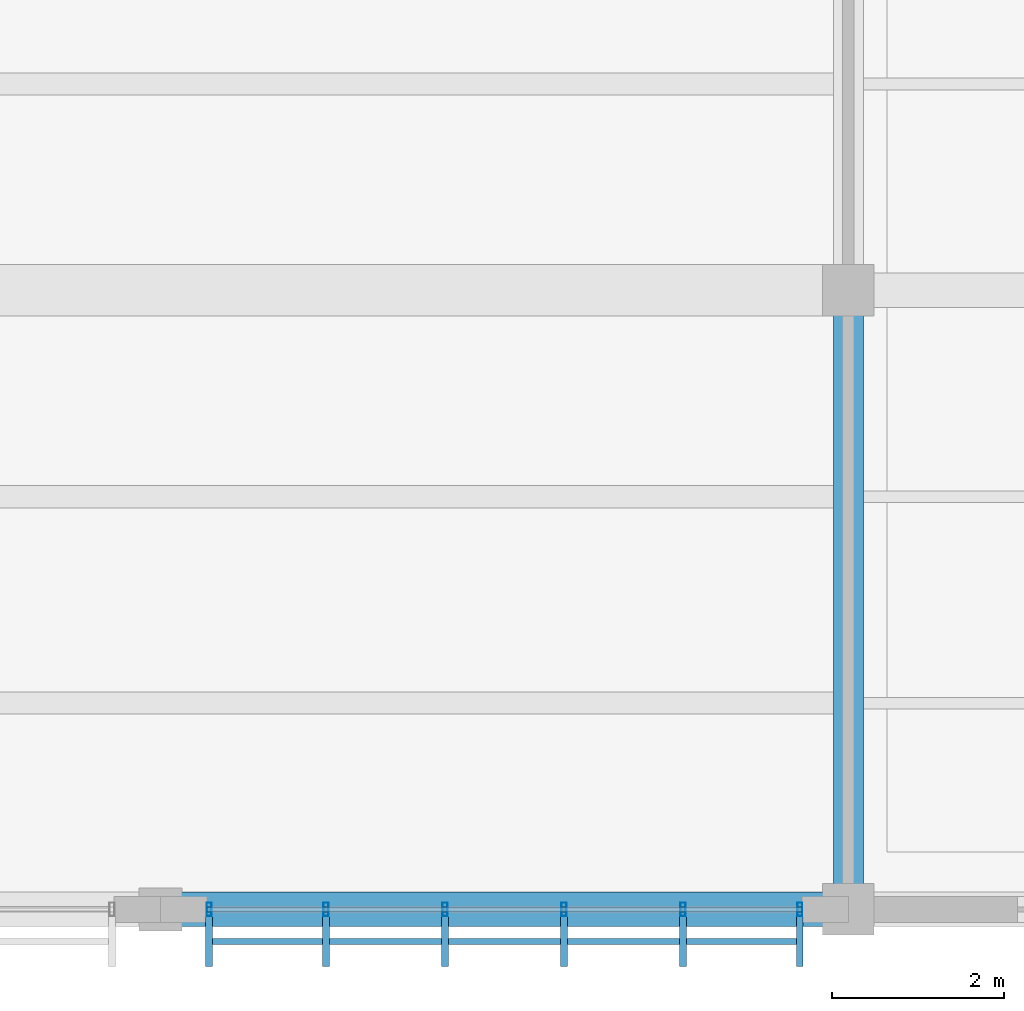
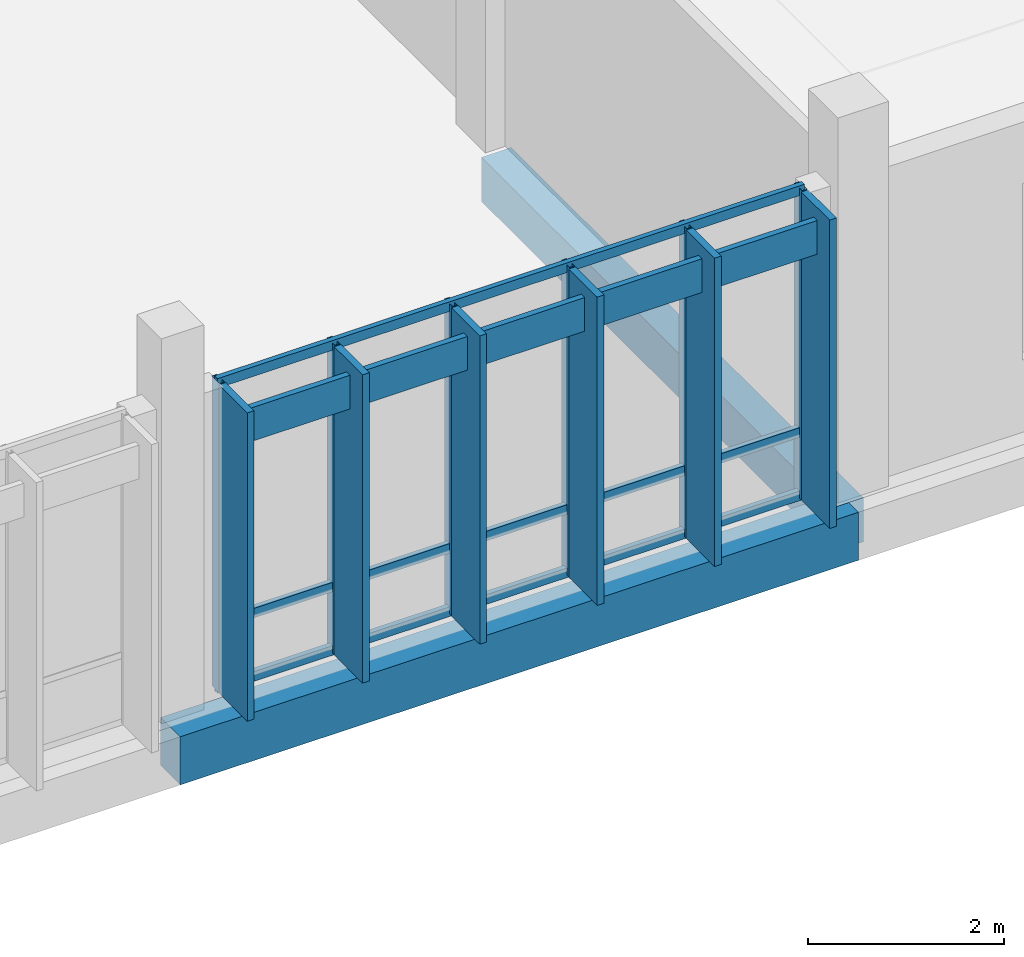
# One storey, part 16 of 177: 16 members, 2 beams, 1 element without a shape of its own.
"""IFC4 building model written with IfcOpenShell, lengths in metres."""

from ifc_helpers import new_model, si_unit, direction, frame, origin, origin_2d, place, context, subcontext, project, spatial, rectangle, hollow_rectangle, extrude, material, material_profile, profile_set, type_object, element, aggregate, save


model = new_model("IFC4")

# Units and contexts
model_context = context("Model", 3, precision=1e-05, world=origin(), true_north=direction((0.0, 1.0)))
body_context = subcontext(model_context, "Body", "Model", "MODEL_VIEW")
ifc_project = project(units=[si_unit("LENGTHUNIT", "METRE"), si_unit("AREAUNIT", "SQUARE_METRE"), si_unit("VOLUMEUNIT", "CUBIC_METRE"), si_unit("PLANEANGLEUNIT", "RADIAN"), si_unit("MASSUNIT", "GRAM", prefix="KILO")], contexts=[model_context])

# Site, building, storey
site_placement = place(None, origin())
site = spatial("IfcSite", under=ifc_project, at=site_placement, CompositionType="ELEMENT")
building_placement = place(site_placement, origin())
building = spatial("IfcBuilding", under=site, at=building_placement, Name="Chiffa Square Polytechnic", CompositionType="ELEMENT")
storey_placement = place(building_placement, frame((0.0, 0.0, 4.800048828125)))
storey = spatial("IfcBuildingStorey", under=building, at=storey_placement, Name="L01", CompositionType="ELEMENT", Elevation=4.800048828125)

# Beams
ifc_material_1 = material(Name="Concrete C35/45", Category="concrete")
ifc_material_profile_1 = material_profile(ifc_material_1, rectangle(XDim=0.35009765625, YDim=0.550048828125, at=origin_2d()), Name="RC 350x550")
ifc_profile_set_1 = profile_set([ifc_material_profile_1], Name="Concrete C35/45")
beam_type_1 = type_object("IfcBeamType", Name="BM-RC-350X550", PredefinedType="BEAM", material=ifc_profile_set_1)
beam_1_placement = place(storey_placement, frame((24.0, 0.0, -0.554931640625), z_axis=(0.0, 1.0, 0.0), x_axis=(-1.0, 0.0, 0.0)))
element("IfcBeam", 1, at=beam_1_placement, inside=storey, type_object=beam_type_1, Name="Primary floor girder BM-V3-L01-Y-0240-0000", PredefinedType="BEAM", context=body_context, shape_type="SweptSolid", body=[
    extrude(rectangle(XDim=0.35009765625, YDim=0.550048828125, at=origin_2d()), origin(), (0.0, 0.0, 1.0), 7.199951171875),
])
ifc_material_profile_2 = material_profile(ifc_material_1, rectangle(XDim=0.39990234375, YDim=0.60009765625, at=origin_2d()), Name="RC 400x600")
ifc_profile_set_2 = profile_set([ifc_material_profile_2], Name="Concrete C35/45")
beam_type_2 = type_object("IfcBeamType", Name="BM-RC-400X600", PredefinedType="BEAM", material=ifc_profile_set_2)
beam_2_placement = place(storey_placement, frame((16.0, 0.0, -0.580078125), z_axis=(1.0, 0.0, 0.0), x_axis=(0.0, 1.0, 0.0)))
element("IfcBeam", 2, at=beam_2_placement, inside=storey, type_object=beam_type_2, Name="Primary floor girder BM-V3-L01-X-0160-0000", PredefinedType="BEAM", context=body_context, shape_type="SweptSolid", body=[
    extrude(rectangle(XDim=0.39990234375, YDim=0.60009765625, at=origin_2d()), origin(), (0.0, 0.0, 1.0), 8.0),
])

# Curtain wall, members
ifc_material_2 = material(Name="Aluminium EN AW-6060 T66 and glulam shading", Category="wood")
curtain_wall_type = type_object("IfcCurtainWallType", Name="CW-VERT-300X380", PredefinedType="USERDEFINED", material=ifc_material_2)
curtain_wall_placement = place(storey_placement, origin())
curtain_wall = element("IfcCurtainWall", 3, at=curtain_wall_placement, inside=storey, type_object=curtain_wall_type, Name="Curtain wall CW-V3-L01-155", ObjectType="CURTAIN WALL", PredefinedType="USERDEFINED")
ifc_material_3 = material(Name="Aluminium EN AW-6060 T66", Category="aluminium")
ifc_material_profile_3 = material_profile(ifc_material_3, hollow_rectangle(XDim=0.06005859375, YDim=0.159912109375, WallThickness=0.00390625, at=origin_2d()), Name="ALU 60x160x4")
ifc_profile_set_3 = profile_set([ifc_material_profile_3], Name="Aluminium EN AW-6060 T66")
member_type_1 = type_object("IfcMemberType", Name="CWM-ALU-65X150", PredefinedType="MULLION", material=ifc_profile_set_3)
member_1_placement = place(storey_placement, frame((16.56494140625, 0.0, 0.0), z_axis=(0.0, 0.0, 1.0), x_axis=(1.0, 0.0, 0.0)))
member_1 = element("IfcMember", 4, at=member_1_placement, type_object=member_type_1, Name="Curtain wall mullion CW-V3-L01-155-M00", PredefinedType="MULLION", context=body_context, shape_type="SweptSolid", body=[
    extrude(hollow_rectangle(XDim=0.06005859375, YDim=0.159912109375, WallThickness=0.00390625, at=origin_2d()), origin(), (0.0, 0.0, 1.0), 3.864990234375),
])
member_2_placement = place(storey_placement, frame((17.924072265625, 0.0, 0.0), z_axis=(0.0, 0.0, 1.0), x_axis=(1.0, 0.0, 0.0)))
member_2 = element("IfcMember", 5, at=member_2_placement, type_object=member_type_1, Name="Curtain wall mullion CW-V3-L01-155-M01", PredefinedType="MULLION", context=body_context, shape_type="SweptSolid", body=[
    extrude(hollow_rectangle(XDim=0.06005859375, YDim=0.159912109375, WallThickness=0.00390625, at=origin_2d()), origin(), (0.0, 0.0, 1.0), 3.864990234375),
])
member_3_placement = place(storey_placement, frame((19.30810546875, 0.0, 0.0), z_axis=(0.0, 0.0, 1.0), x_axis=(1.0, 0.0, 0.0)))
member_3 = element("IfcMember", 6, at=member_3_placement, type_object=member_type_1, Name="Curtain wall mullion CW-V3-L01-155-M02", PredefinedType="MULLION", context=body_context, shape_type="SweptSolid", body=[
    extrude(hollow_rectangle(XDim=0.06005859375, YDim=0.159912109375, WallThickness=0.00390625, at=origin_2d()), origin(), (0.0, 0.0, 1.0), 3.864990234375),
])
member_4_placement = place(storey_placement, frame((20.69189453125, 0.0, 0.0), z_axis=(0.0, 0.0, 1.0), x_axis=(1.0, 0.0, 0.0)))
member_4 = element("IfcMember", 7, at=member_4_placement, type_object=member_type_1, Name="Curtain wall mullion CW-V3-L01-155-M03", PredefinedType="MULLION", context=body_context, shape_type="SweptSolid", body=[
    extrude(hollow_rectangle(XDim=0.06005859375, YDim=0.159912109375, WallThickness=0.00390625, at=origin_2d()), origin(), (0.0, 0.0, 1.0), 3.864990234375),
])
member_5_placement = place(storey_placement, frame((22.075927734375, 0.0, 0.0), z_axis=(0.0, 0.0, 1.0), x_axis=(1.0, 0.0, 0.0)))
member_5 = element("IfcMember", 8, at=member_5_placement, type_object=member_type_1, Name="Curtain wall mullion CW-V3-L01-155-M04", PredefinedType="MULLION", context=body_context, shape_type="SweptSolid", body=[
    extrude(hollow_rectangle(XDim=0.06005859375, YDim=0.159912109375, WallThickness=0.00390625, at=origin_2d()), origin(), (0.0, 0.0, 1.0), 3.864990234375),
])
member_6_placement = place(storey_placement, frame((23.43505859375, 0.0, 0.0), z_axis=(0.0, 0.0, 1.0), x_axis=(1.0, 0.0, 0.0)))
member_6 = element("IfcMember", 9, at=member_6_placement, type_object=member_type_1, Name="Curtain wall mullion CW-V3-L01-155-M05", PredefinedType="MULLION", context=body_context, shape_type="SweptSolid", body=[
    extrude(hollow_rectangle(XDim=0.06005859375, YDim=0.159912109375, WallThickness=0.00390625, at=origin_2d()), origin(), (0.0, 0.0, 1.0), 3.864990234375),
])
ifc_material_4 = material(Name="Glulam GL28h", Category="wood")
ifc_material_profile_4 = material_profile(ifc_material_4, rectangle(XDim=0.080078125, YDim=0.580078125, at=origin_2d()), Name="GL28h 80x580")
ifc_profile_set_4 = profile_set([ifc_material_profile_4], Name="Glulam GL28h")
member_type_2 = type_object("IfcMemberType", Name="CWM-GL-80X580", PredefinedType="MULLION", material=ifc_profile_set_4)
member_7_placement = place(storey_placement, frame((16.56494140625, -0.3720703125, 0.010009765625), z_axis=(0.0, 0.0, 1.0), x_axis=(1.0, 0.0, 0.0)))
member_7 = element("IfcMember", 10, at=member_7_placement, type_object=member_type_2, Name="Exterior glulam solar fin CW-V3-L01-155-FN00", PredefinedType="MULLION", context=body_context, shape_type="SweptSolid", body=[
    extrude(rectangle(XDim=0.080078125, YDim=0.580078125, at=origin_2d()), origin(), (0.0, 0.0, 1.0), 3.844970703125),
])
member_8_placement = place(storey_placement, frame((17.924072265625, -0.3720703125, 0.010009765625), z_axis=(0.0, 0.0, 1.0), x_axis=(1.0, 0.0, 0.0)))
member_8 = element("IfcMember", 11, at=member_8_placement, type_object=member_type_2, Name="Exterior glulam solar fin CW-V3-L01-155-FN01", PredefinedType="MULLION", context=body_context, shape_type="SweptSolid", body=[
    extrude(rectangle(XDim=0.080078125, YDim=0.580078125, at=origin_2d()), origin(), (0.0, 0.0, 1.0), 3.844970703125),
])
member_9_placement = place(storey_placement, frame((19.30810546875, -0.3720703125, 0.010009765625), z_axis=(0.0, 0.0, 1.0), x_axis=(1.0, 0.0, 0.0)))
member_9 = element("IfcMember", 12, at=member_9_placement, type_object=member_type_2, Name="Exterior glulam solar fin CW-V3-L01-155-FN02", PredefinedType="MULLION", context=body_context, shape_type="SweptSolid", body=[
    extrude(rectangle(XDim=0.080078125, YDim=0.580078125, at=origin_2d()), origin(), (0.0, 0.0, 1.0), 3.844970703125),
])
member_10_placement = place(storey_placement, frame((20.69189453125, -0.3720703125, 0.010009765625), z_axis=(0.0, 0.0, 1.0), x_axis=(1.0, 0.0, 0.0)))
member_10 = element("IfcMember", 13, at=member_10_placement, type_object=member_type_2, Name="Exterior glulam solar fin CW-V3-L01-155-FN03", PredefinedType="MULLION", context=body_context, shape_type="SweptSolid", body=[
    extrude(rectangle(XDim=0.080078125, YDim=0.580078125, at=origin_2d()), origin(), (0.0, 0.0, 1.0), 3.844970703125),
])
member_11_placement = place(storey_placement, frame((22.075927734375, -0.3720703125, 0.010009765625), z_axis=(0.0, 0.0, 1.0), x_axis=(1.0, 0.0, 0.0)))
member_11 = element("IfcMember", 14, at=member_11_placement, type_object=member_type_2, Name="Exterior glulam solar fin CW-V3-L01-155-FN04", PredefinedType="MULLION", context=body_context, shape_type="SweptSolid", body=[
    extrude(rectangle(XDim=0.080078125, YDim=0.580078125, at=origin_2d()), origin(), (0.0, 0.0, 1.0), 3.844970703125),
])
member_12_placement = place(storey_placement, frame((23.43505859375, -0.3720703125, 0.010009765625), z_axis=(0.0, 0.0, 1.0), x_axis=(1.0, 0.0, 0.0)))
member_12 = element("IfcMember", 15, at=member_12_placement, type_object=member_type_2, Name="Exterior glulam solar fin CW-V3-L01-155-FN05", PredefinedType="MULLION", context=body_context, shape_type="SweptSolid", body=[
    extrude(rectangle(XDim=0.080078125, YDim=0.580078125, at=origin_2d()), origin(), (0.0, 0.0, 1.0), 3.844970703125),
])
ifc_material_profile_5 = material_profile(ifc_material_3, hollow_rectangle(XDim=0.06005859375, YDim=0.1201171875, WallThickness=0.00390625, at=origin_2d()), Name="ALU 60x120x4")
ifc_profile_set_5 = profile_set([ifc_material_profile_5], Name="Aluminium EN AW-6060 T66")
member_type_3 = type_object("IfcMemberType", Name="CWT-ALU-65X120", PredefinedType="USERDEFINED", material=ifc_profile_set_5)
member_13_placement = place(storey_placement, frame((16.5380859375, 0.0, 0.030029296875), z_axis=(1.0, 0.0, 0.0), x_axis=(0.0, 1.0, 0.0)))
member_13 = element("IfcMember", 16, at=member_13_placement, type_object=member_type_3, Name="Curtain wall transom CW-V3-L01-155-T01", ObjectType="TRANSOM", PredefinedType="USERDEFINED", context=body_context, shape_type="SweptSolid", body=[
    extrude(hollow_rectangle(XDim=0.06005859375, YDim=0.1201171875, WallThickness=0.00390625, at=origin_2d()), origin(), (0.0, 0.0, 1.0), 6.923828125),
])
member_14_placement = place(storey_placement, frame((16.5380859375, 0.0, 0.820068359375), z_axis=(1.0, 0.0, 0.0), x_axis=(0.0, 1.0, 0.0)))
member_14 = element("IfcMember", 17, at=member_14_placement, type_object=member_type_3, Name="Curtain wall transom CW-V3-L01-155-T02", ObjectType="TRANSOM", PredefinedType="USERDEFINED", context=body_context, shape_type="SweptSolid", body=[
    extrude(hollow_rectangle(XDim=0.06005859375, YDim=0.1201171875, WallThickness=0.00390625, at=origin_2d()), origin(), (0.0, 0.0, 1.0), 6.923828125),
])
member_15_placement = place(storey_placement, frame((16.5380859375, 0.0, 3.8349609375), z_axis=(1.0, 0.0, 0.0), x_axis=(0.0, 1.0, 0.0)))
member_15 = element("IfcMember", 18, at=member_15_placement, type_object=member_type_3, Name="Curtain wall transom CW-V3-L01-155-T03", ObjectType="TRANSOM", PredefinedType="USERDEFINED", context=body_context, shape_type="SweptSolid", body=[
    extrude(hollow_rectangle(XDim=0.06005859375, YDim=0.1201171875, WallThickness=0.00390625, at=origin_2d()), origin(), (0.0, 0.0, 1.0), 6.923828125),
])
ifc_material_profile_6 = material_profile(ifc_material_4, rectangle(XDim=0.070068359375, YDim=0.419921875, at=origin_2d()), Name="GL28h 70x420")
ifc_profile_set_6 = profile_set([ifc_material_profile_6], Name="Glulam GL28h")
member_type_4 = type_object("IfcMemberType", Name="CWT-GL-70X420", PredefinedType="USERDEFINED", material=ifc_profile_set_6)
member_16_placement = place(storey_placement, frame((16.56494140625, -0.3720703125, 3.48486328125), z_axis=(1.0, 0.0, 0.0), x_axis=(0.0, 1.0, 0.0)))
member_16 = element("IfcMember", 19, at=member_16_placement, type_object=member_type_4, Name="Exterior glulam brise-soleil CW-V3-L01-155-BS01", ObjectType="TRANSOM", PredefinedType="USERDEFINED", context=body_context, shape_type="SweptSolid", body=[
    extrude(rectangle(XDim=0.070068359375, YDim=0.419921875, at=origin_2d()), origin(), (0.0, 0.0, 1.0), 6.8701171875),
])
aggregate(curtain_wall, [member_1, member_7, member_2, member_8, member_3, member_9, member_4, member_10, member_5, member_11, member_6, member_12, member_13, member_14, member_15, member_16])

save(model, "model.ifc")
